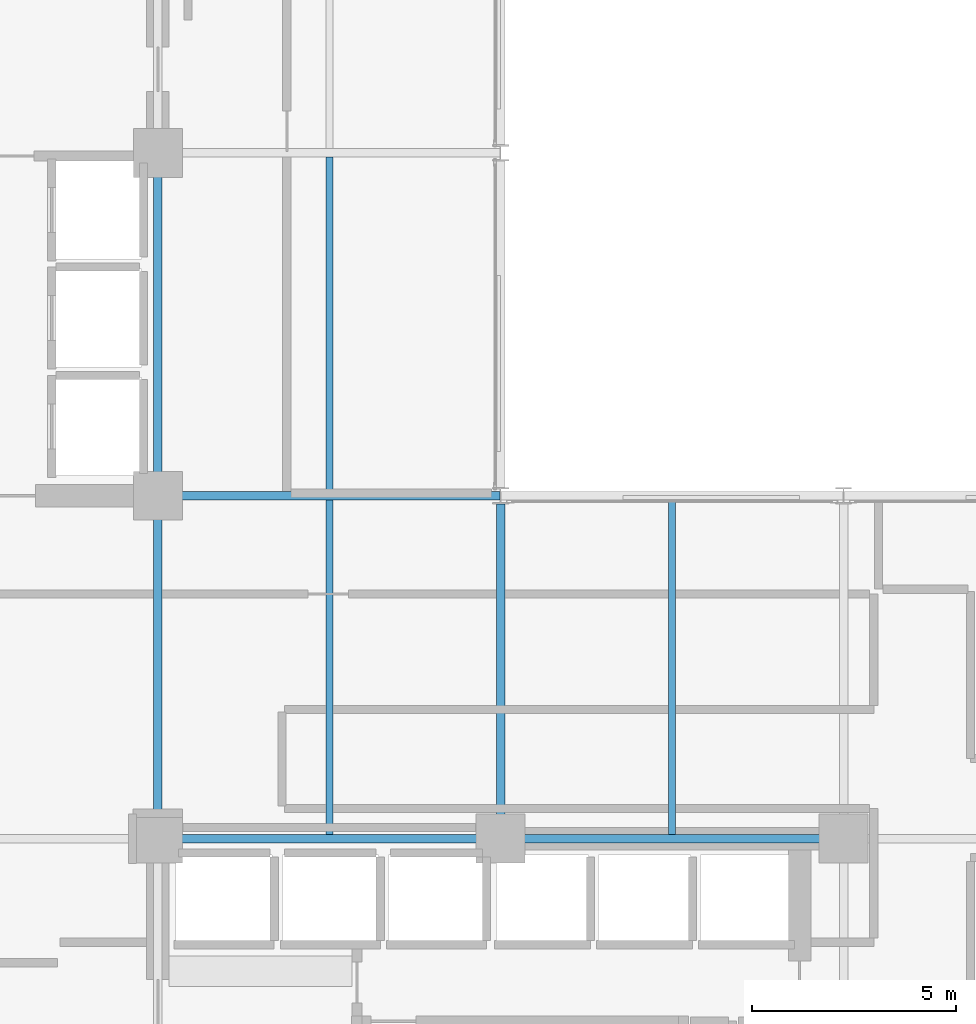
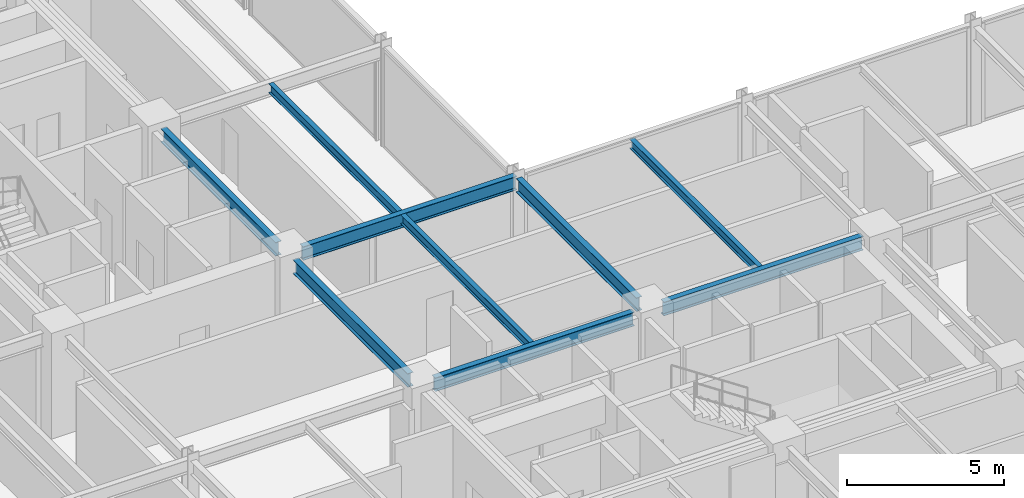
# One storey, part 14 of 38: 9 beams.
"""IFC4 building model written with IfcOpenShell, lengths in metres."""

from ifc_helpers import new_model, si_unit, direction, frame, origin, origin_2d, place, context, subcontext, project, spatial, i_section, extrude, material, material_profile, profile_set, type_object, element, save


model = new_model("IFC4")

# Units and contexts
model_context = context("Model", 3, precision=1e-05, world=origin(), true_north=direction((0.0, 1.0)))
body_context = subcontext(model_context, "Body", "Model", "MODEL_VIEW")
ifc_project = project(units=[si_unit("LENGTHUNIT", "METRE"), si_unit("AREAUNIT", "SQUARE_METRE"), si_unit("VOLUMEUNIT", "CUBIC_METRE"), si_unit("PLANEANGLEUNIT", "RADIAN"), si_unit("MASSUNIT", "GRAM", prefix="KILO")], contexts=[model_context])

# Site, building, storey
site_placement = place(None, origin())
site = spatial("IfcSite", under=ifc_project, at=site_placement, CompositionType="ELEMENT")
building_placement = place(site_placement, origin())
building = spatial("IfcBuilding", under=site, at=building_placement, Name="Nerrivon Quay Data Exchange", CompositionType="ELEMENT")
storey_placement = place(building_placement, frame((0.0, 0.0, 96.699951171875)))
storey = spatial("IfcBuildingStorey", under=building, at=storey_placement, Name="L22", CompositionType="ELEMENT", Elevation=96.699951171875)

# Beams
ifc_material = material(Name="Steel Grade 350", Category="steel")
ifc_material_profile_1 = material_profile(ifc_material, i_section(OverallWidth=0.208984375, OverallDepth=0.532958984375, WebThickness=0.01025390625, FlangeThickness=0.015625, FilletRadius=0.013916015625, at=origin_2d()), Name="530UB92.4")
ifc_profile_set_1 = profile_set([ifc_material_profile_1], Name="Steel Grade 350")
beam_type_1 = type_object("IfcBeamType", Name="BM-G3-530UB92", PredefinedType="BEAM", material=ifc_profile_set_1)
beam_1_placement = place(storey_placement, frame((17.340087890625, 16.800048828125, 3.55859375), z_axis=(1.0, 0.0, 0.0), x_axis=(0.0, 1.0, 0.0)))
element("IfcBeam", 1, at=beam_1_placement, inside=storey, type_object=beam_type_1, Name="L22 EW Girder Y=16.8 (16.8..25.2)", PredefinedType="BEAM", context=body_context, shape_type="SweptSolid", body=[
    extrude(i_section(OverallWidth=0.208984375, OverallDepth=0.532958984375, WebThickness=0.01025390625, FlangeThickness=0.015625, FilletRadius=0.013916015625, at=origin_2d()), origin(), (0.0, 0.0, 1.0), 7.31982421875),
])
beam_2_placement = place(storey_placement, frame((25.739990234375, 16.800048828125, 3.55859375), z_axis=(1.0, 0.0, 0.0), x_axis=(0.0, 1.0, 0.0)))
element("IfcBeam", 2, at=beam_2_placement, inside=storey, type_object=beam_type_1, Name="L22 EW Girder Y=16.8 (25.2..33.6)", PredefinedType="BEAM", context=body_context, shape_type="SweptSolid", body=[
    extrude(i_section(OverallWidth=0.208984375, OverallDepth=0.532958984375, WebThickness=0.01025390625, FlangeThickness=0.015625, FilletRadius=0.013916015625, at=origin_2d()), origin(), (0.0, 0.0, 1.0), 7.320068359375),
])
beam_3_placement = place(storey_placement, frame((17.340087890625, 25.199951171875, 3.55859375), z_axis=(1.0, 0.0, 0.0), x_axis=(0.0, 1.0, 0.0)))
element("IfcBeam", 3, at=beam_3_placement, inside=storey, type_object=beam_type_1, Name="L22 EW Girder Y=25.2 (16.8..25.2)", PredefinedType="BEAM", context=body_context, shape_type="SweptSolid", body=[
    extrude(i_section(OverallWidth=0.208984375, OverallDepth=0.532958984375, WebThickness=0.01025390625, FlangeThickness=0.015625, FilletRadius=0.013916015625, at=origin_2d()), origin(), (0.0, 0.0, 1.0), 7.847412109375),
])
ifc_material_profile_2 = material_profile(ifc_material, i_section(OverallWidth=0.208984375, OverallDepth=0.528076171875, WebThickness=0.009521484375, FlangeThickness=0.01318359375, FilletRadius=0.013916015625, at=origin_2d()), Name="530UB82.0")
ifc_profile_set_2 = profile_set([ifc_material_profile_2], Name="Steel Grade 350")
beam_type_2 = type_object("IfcBeamType", Name="BM-G4-530UB82", PredefinedType="BEAM", material=ifc_profile_set_2)
beam_4_placement = place(storey_placement, frame((16.800048828125, 17.340087890625, 3.56103515625), z_axis=(0.0, 1.0, 0.0), x_axis=(-1.0, 0.0, 0.0)))
element("IfcBeam", 4, at=beam_4_placement, inside=storey, type_object=beam_type_2, Name="L22 NS Girder X=16.8 (16.8..25.2)", PredefinedType="BEAM", context=body_context, shape_type="SweptSolid", body=[
    extrude(i_section(OverallWidth=0.208984375, OverallDepth=0.528076171875, WebThickness=0.009521484375, FlangeThickness=0.01318359375, FilletRadius=0.013916015625, at=origin_2d()), origin(), (0.0, 0.0, 1.0), 7.31982421875),
])
beam_5_placement = place(storey_placement, frame((16.800048828125, 25.739990234375, 3.56103515625), z_axis=(0.0, 1.0, 0.0), x_axis=(-1.0, 0.0, 0.0)))
element("IfcBeam", 5, at=beam_5_placement, inside=storey, type_object=beam_type_2, Name="L22 NS Girder X=16.8 (25.2..33.6)", PredefinedType="BEAM", context=body_context, shape_type="SweptSolid", body=[
    extrude(i_section(OverallWidth=0.208984375, OverallDepth=0.528076171875, WebThickness=0.009521484375, FlangeThickness=0.01318359375, FilletRadius=0.013916015625, at=origin_2d()), origin(), (0.0, 0.0, 1.0), 7.320068359375),
])
beam_6_placement = place(storey_placement, frame((25.199951171875, 17.340087890625, 3.56103515625), z_axis=(0.0, 1.0, 0.0), x_axis=(-1.0, 0.0, 0.0)))
element("IfcBeam", 6, at=beam_6_placement, inside=storey, type_object=beam_type_2, Name="L22 NS Girder X=25.2 (16.8..25.2)", PredefinedType="BEAM", context=body_context, shape_type="SweptSolid", body=[
    extrude(i_section(OverallWidth=0.208984375, OverallDepth=0.528076171875, WebThickness=0.009521484375, FlangeThickness=0.01318359375, FilletRadius=0.013916015625, at=origin_2d()), origin(), (0.0, 0.0, 1.0), 7.659912109375),
])
ifc_material_profile_3 = material_profile(ifc_material, i_section(OverallWidth=0.1708984375, OverallDepth=0.35595703125, WebThickness=0.00732421875, FlangeThickness=0.011474609375, FilletRadius=0.011474609375, at=origin_2d()), Name="360UB50.7")
ifc_profile_set_3 = profile_set([ifc_material_profile_3], Name="Steel Grade 350")
beam_type_3 = type_object("IfcBeamType", Name="BM-J4-360UB51", PredefinedType="JOIST", material=ifc_profile_set_3)
beam_7_placement = place(storey_placement, frame((21.0, 16.904541015625, 3.64697265625), z_axis=(0.0, 1.0, 0.0), x_axis=(-1.0, 0.0, 0.0)))
element("IfcBeam", 7, at=beam_7_placement, inside=storey, type_object=beam_type_3, Name="L22 Secondary Joist X=21.0 (16.8..25.2)", PredefinedType="JOIST", context=body_context, shape_type="SweptSolid", body=[
    extrude(i_section(OverallWidth=0.1708984375, OverallDepth=0.35595703125, WebThickness=0.00732421875, FlangeThickness=0.011474609375, FilletRadius=0.011474609375, at=origin_2d()), origin(), (0.0, 0.0, 1.0), 8.19091796875),
])
beam_8_placement = place(storey_placement, frame((21.0, 25.304443359375, 3.64697265625), z_axis=(0.0, 1.0, 0.0), x_axis=(-1.0, 0.0, 0.0)))
element("IfcBeam", 8, at=beam_8_placement, inside=storey, type_object=beam_type_3, Name="L22 Secondary Joist X=21.0 (25.2..33.6)", PredefinedType="JOIST", context=body_context, shape_type="SweptSolid", body=[
    extrude(i_section(OverallWidth=0.1708984375, OverallDepth=0.35595703125, WebThickness=0.00732421875, FlangeThickness=0.011474609375, FilletRadius=0.011474609375, at=origin_2d()), origin(), (0.0, 0.0, 1.0), 8.191162109375),
])
beam_9_placement = place(storey_placement, frame((29.39990234375, 16.904541015625, 3.64697265625), z_axis=(0.0, 1.0, 0.0), x_axis=(-1.0, 0.0, 0.0)))
element("IfcBeam", 9, at=beam_9_placement, inside=storey, type_object=beam_type_3, Name="L22 Secondary Joist X=29.4 (16.8..25.2)", PredefinedType="JOIST", context=body_context, shape_type="SweptSolid", body=[
    extrude(i_section(OverallWidth=0.1708984375, OverallDepth=0.35595703125, WebThickness=0.00732421875, FlangeThickness=0.011474609375, FilletRadius=0.011474609375, at=origin_2d()), origin(), (0.0, 0.0, 1.0), 8.19091796875),
])

save(model, "model.ifc")
